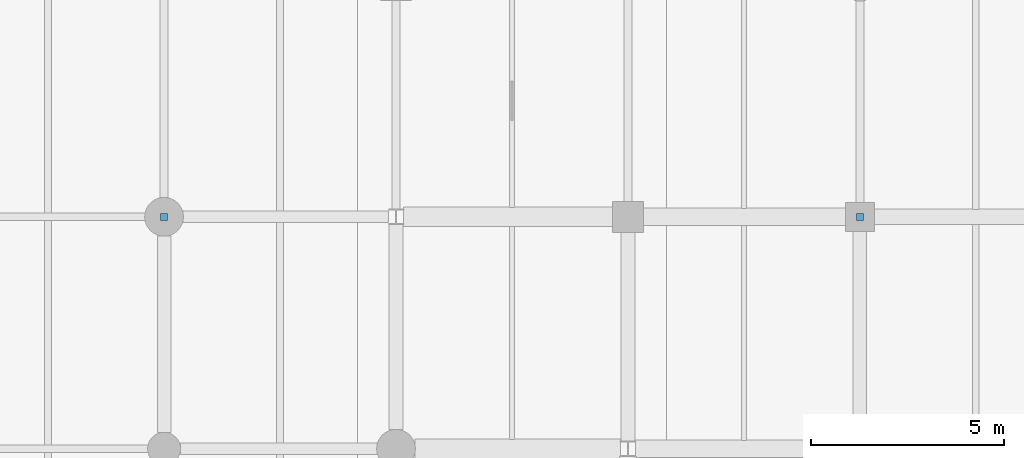
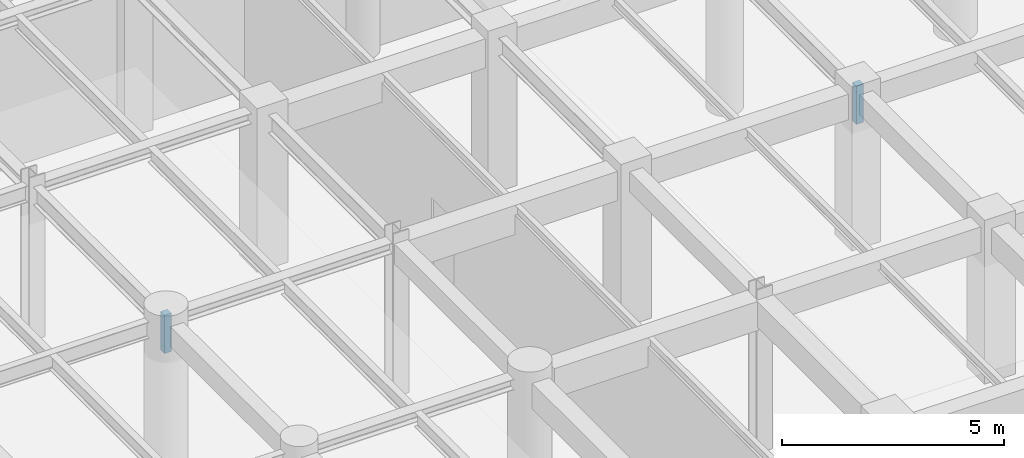
# One storey, part 112 of 133: 2 discrete accessories.
"""IFC4 building model written with IfcOpenShell, lengths in metres."""

from ifc_helpers import new_model, si_unit, direction, frame, origin, origin_2d, place, context, subcontext, project, spatial, rectangle, extrude, material, type_object, element, save


model = new_model("IFC4")

# Units and contexts
model_context = context("Model", 3, precision=1e-05, world=origin(), true_north=direction((0.0, 1.0)))
body_context = subcontext(model_context, "Body", "Model", "MODEL_VIEW")
ifc_project = project(units=[si_unit("LENGTHUNIT", "METRE"), si_unit("AREAUNIT", "SQUARE_METRE"), si_unit("VOLUMEUNIT", "CUBIC_METRE"), si_unit("PLANEANGLEUNIT", "RADIAN"), si_unit("MASSUNIT", "GRAM", prefix="KILO"), si_unit("THERMODYNAMICTEMPERATUREUNIT", "KELVIN"), si_unit("POWERUNIT", "WATT")], contexts=[model_context])

# Site, building, storey
site_placement = place(None, origin())
site = spatial("IfcSite", under=ifc_project, at=site_placement, CompositionType="ELEMENT")
building_placement = place(site_placement, origin())
building = spatial("IfcBuilding", under=site, at=building_placement, Name="Phaisarnlok Congress Hotel", CompositionType="ELEMENT")
storey_placement = place(building_placement, frame((0.0, 0.0, 6.0)))
storey = spatial("IfcBuildingStorey", under=building, at=storey_placement, Name="L01", CompositionType="ELEMENT", Elevation=6.0)

# Discrete accessories
ifc_material = material(Name="Steel S355", Category="steel")
discrete_accessory_type = type_object("IfcDiscreteAccessoryType", Name="ACC-HNG-STL", PredefinedType="BRACKET", material=ifc_material)
for number, where, z_axis, x_axis, name in (
    (1, (12.0, 96.0, 3.205078125), (0.0, 0.0, 1.0), (1.0, 0.0, 0.0), "Acoustic ceiling steel suspension hanger BK-01"),
    (2, (30.0, 96.0, 3.205078125), (0.0, 0.0, 1.0), (1.0, 0.0, 0.0), "Acoustic ceiling steel suspension hanger BK-01"),
):
    element("IfcDiscreteAccessory", number, at=place(storey_placement, frame(where, z_axis=z_axis, x_axis=x_axis)), inside=storey, type_object=discrete_accessory_type, Name=name, PredefinedType="BRACKET", context=body_context, shape_type="SweptSolid", body=[
        extrude(rectangle(XDim=0.179931640625, YDim=0.179931640625, at=origin_2d()), origin(), (0.0, 0.0, 1.0), 1.054931640625),
    ])

save(model, "model.ifc")
